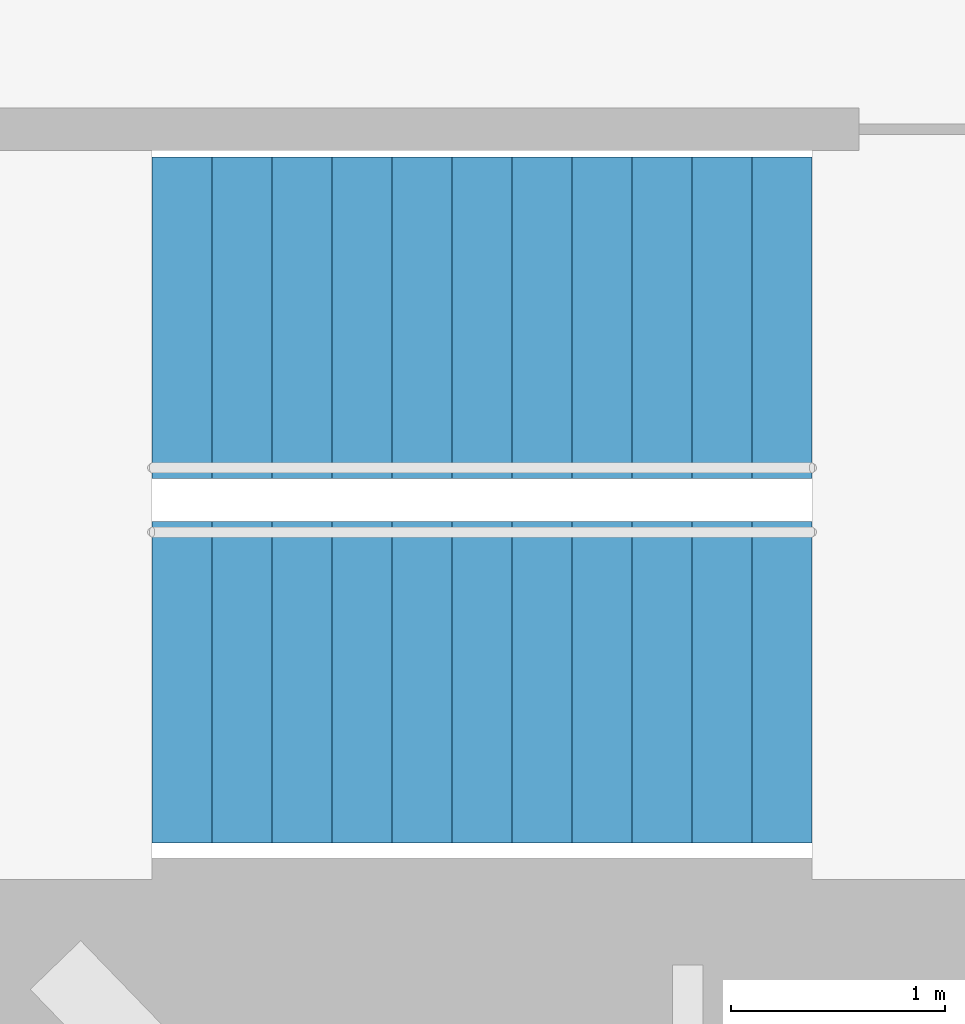
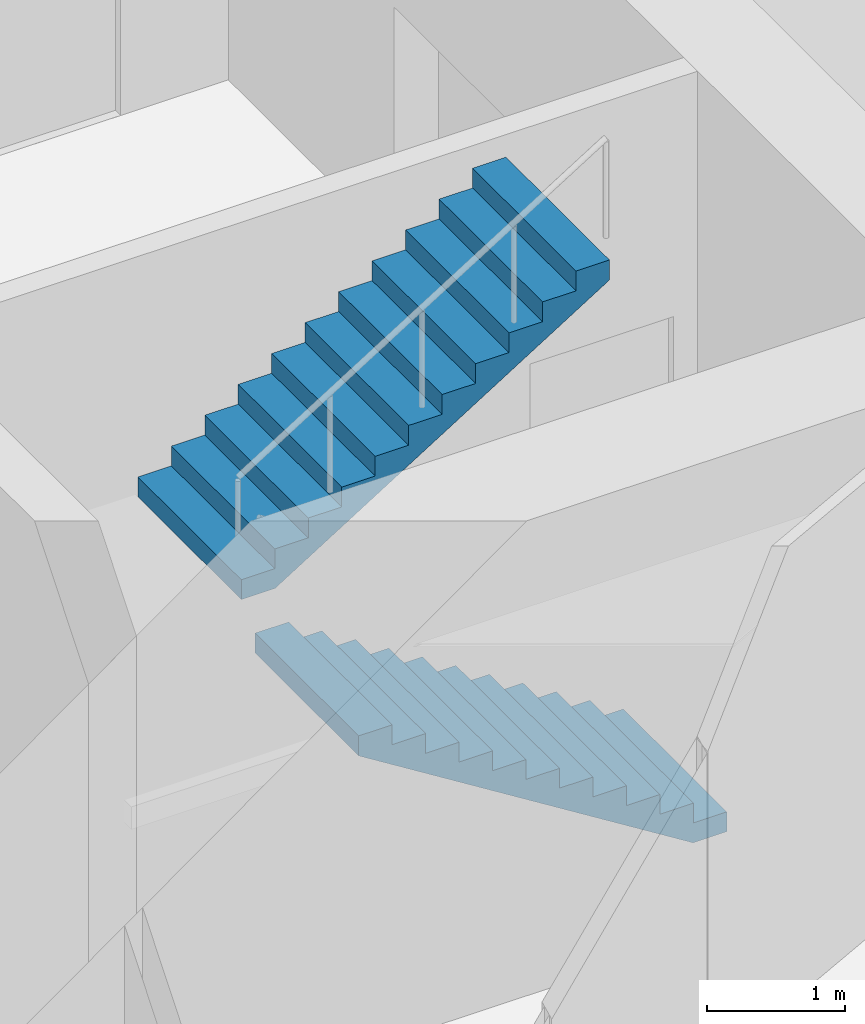
# One storey, part 16 of 17: 2 stair flights, 1 element without a shape of its own.
"""IFC4 building model written with IfcOpenShell, lengths in metres."""

from ifc_helpers import new_model, si_unit, direction, frame, origin, place, context, subcontext, project, spatial, triangles, material, type_object, element, aggregate, save


model = new_model("IFC4")

# Units and contexts
model_context = context("Model", 3, precision=1e-05, world=origin(), true_north=direction((0.0, 1.0)))
body_context = subcontext(model_context, "Body", "Model", "MODEL_VIEW")
ifc_project = project(units=[si_unit("LENGTHUNIT", "METRE"), si_unit("AREAUNIT", "SQUARE_METRE"), si_unit("VOLUMEUNIT", "CUBIC_METRE"), si_unit("PLANEANGLEUNIT", "RADIAN"), si_unit("MASSUNIT", "GRAM", prefix="KILO")], contexts=[model_context])

# Site, building, storey
site_placement = place(None, origin())
site = spatial("IfcSite", under=ifc_project, at=site_placement, CompositionType="ELEMENT")
building_placement = place(site_placement, origin())
building = spatial("IfcBuilding", under=site, at=building_placement, Name="Lantaw Convention Tower", CompositionType="ELEMENT")
storey_placement = place(building_placement, frame((0.0, 0.0, 203.199951171875)))
storey = spatial("IfcBuildingStorey", under=building, at=storey_placement, Name="L47", CompositionType="ELEMENT", Elevation=203.199951171875)

# Stair, stair flights
ifc_material = material(Name="Concrete C35/45", Category="concrete")
stair_type = type_object("IfcStairType", Name="Exit stair 1500 riser 175 in 2 flights", PredefinedType="HALF_TURN_STAIR", material=ifc_material)
stair_placement = place(storey_placement, origin())
stair = element("IfcStair", 1, at=stair_placement, inside=storey, type_object=stair_type, Name="Exit stair S2 L47", PredefinedType="HALF_TURN_STAIR")
stair_flight_type = type_object("IfcStairFlightType", Name="Stair flight 1500 riser 175", PredefinedType="STRAIGHT", material=ifc_material)
stair_flight_1_placement = place(storey_placement, frame((10.580078125, -5.97998046875, 0.0), z_axis=(0.0, 0.0, 1.0), x_axis=(-1.0, 0.0, 0.0)))
stair_flight_1 = element("IfcStairFlight", 2, at=stair_flight_1_placement, type_object=stair_flight_type, Name="S2 flight 1", NumberOfRisers=12, NumberOfTreads=11, PredefinedType="STRAIGHT", RiserHeight=0.175, TreadLength=0.28, context=body_context, shape_type="Tessellation", body=[
    triangles([(0.0, 0.75, 0.0), (0.0, 0.75, 0.175), (0.28, 0.75, 0.0), (0.28, 0.75, 0.175), (0.28, 0.75, 0.35), (0.28283517651771284, 0.75, 0.0), (0.28283517651771284, 0.75, 0.35), (0.56, 0.75, 0.17322801467642948), (0.56, 0.75, 0.35), (0.56, 0.75, 0.5249999999999999), (0.8400000000000001, 0.75, 0.34822801467642944), (0.8400000000000001, 0.75, 0.5249999999999999), (0.8400000000000001, 0.75, 0.7), (1.12, 0.75, 0.5232280146764294), (1.12, 0.75, 0.7), (1.12, 0.75, 0.875), (1.4000000000000001, 0.75, 0.6982280146764295), (1.4000000000000001, 0.75, 0.875), (1.4000000000000001, 0.75, 1.0499999999999998), (1.6800000000000002, 0.75, 0.8732280146764294), (1.6800000000000002, 0.75, 1.0499999999999998), (1.6800000000000002, 0.75, 1.2249999999999999), (1.9600000000000002, 0.75, 1.0482280146764293), (1.9600000000000002, 0.75, 1.2249999999999999), (1.9600000000000002, 0.75, 1.4), (2.24, 0.75, 1.2232280146764294), (2.24, 0.75, 1.4), (2.24, 0.75, 1.575), (2.5200000000000005, 0.75, 1.3982280146764294), (2.5200000000000005, 0.75, 1.575), (2.5200000000000005, 0.75, 1.75), (2.8000000000000003, 0.75, 1.5732280146764293), (2.8000000000000003, 0.75, 1.75), (2.8000000000000003, 0.75, 1.9249999999999998), (3.08, 0.75, 1.7482280146764293), (3.08, 0.75, 1.9249999999999998), (0.0, -0.75, 0.0), (0.0, -0.75, 0.175), (0.28, -0.75, 0.0), (0.28, -0.75, 0.175), (0.28, -0.75, 0.35), (0.28283517651771284, -0.75, 0.0), (0.28283517651771284, -0.75, 0.35), (0.56, -0.75, 0.17322801467642948), (0.56, -0.75, 0.35), (0.56, -0.75, 0.5249999999999999), (0.8400000000000001, -0.75, 0.34822801467642944), (0.8400000000000001, -0.75, 0.5249999999999999), (0.8400000000000001, -0.75, 0.7), (1.12, -0.75, 0.5232280146764294), (1.12, -0.75, 0.7), (1.12, -0.75, 0.875), (1.4000000000000001, -0.75, 0.6982280146764295), (1.4000000000000001, -0.75, 0.875), (1.4000000000000001, -0.75, 1.0499999999999998), (1.6800000000000002, -0.75, 0.8732280146764294), (1.6800000000000002, -0.75, 1.0499999999999998), (1.6800000000000002, -0.75, 1.2249999999999999), (1.9600000000000002, -0.75, 1.0482280146764293), (1.9600000000000002, -0.75, 1.2249999999999999), (1.9600000000000002, -0.75, 1.4), (2.24, -0.75, 1.2232280146764294), (2.24, -0.75, 1.4), (2.24, -0.75, 1.575), (2.5200000000000005, -0.75, 1.3982280146764294), (2.5200000000000005, -0.75, 1.575), (2.5200000000000005, -0.75, 1.75), (2.8000000000000003, -0.75, 1.5732280146764293), (2.8000000000000003, -0.75, 1.75), (2.8000000000000003, -0.75, 1.9249999999999998), (3.08, -0.75, 1.7482280146764293), (3.08, -0.75, 1.9249999999999998), (0.0, 0.15000000000000002, 0.175), (0.0, 0.15000000000000002, 0.0), (0.0, 0.0, 0.175), (0.0, 0.0, 0.0), (0.0, -0.15000000000000002, 0.175), (0.0, -0.15000000000000002, 0.0), (0.28, 0.15000000000000002, 0.35), (0.28, 0.15000000000000002, 0.175), (0.28, 0.0, 0.35), (0.28, 0.0, 0.175), (0.28, -0.15000000000000002, 0.35), (0.28, -0.15000000000000002, 0.175), (0.56, 0.15000000000000002, 0.5249999999999999), (0.56, 0.15000000000000002, 0.35), (0.56, 0.0, 0.5249999999999999), (0.56, 0.0, 0.35), (0.56, -0.15000000000000002, 0.5249999999999999), (0.56, -0.15000000000000002, 0.35), (0.8400000000000001, 0.15000000000000002, 0.7), (0.8400000000000001, 0.15000000000000002, 0.5249999999999999), (0.8400000000000001, 0.0, 0.7), (0.8400000000000001, 0.0, 0.5249999999999999), (0.8400000000000001, -0.15000000000000002, 0.7), (0.8400000000000001, -0.15000000000000002, 0.5249999999999999), (1.12, 0.15000000000000002, 0.875), (1.12, 0.15000000000000002, 0.7), (1.12, 0.0, 0.875), (1.12, 0.0, 0.7), (1.12, -0.15000000000000002, 0.875), (1.12, -0.15000000000000002, 0.7), (1.4000000000000001, 0.15000000000000002, 1.0499999999999998), (1.4000000000000001, 0.15000000000000002, 0.875), (1.4000000000000001, 0.0, 1.0499999999999998), (1.4000000000000001, 0.0, 0.875), (1.4000000000000001, -0.15000000000000002, 1.0499999999999998), (1.4000000000000001, -0.15000000000000002, 0.875), (1.6800000000000002, 0.15000000000000002, 1.2249999999999999), (1.6800000000000002, 0.15000000000000002, 1.0499999999999998), (1.6800000000000002, 0.0, 1.2249999999999999), (1.6800000000000002, 0.0, 1.0499999999999998), (1.6800000000000002, -0.15000000000000002, 1.2249999999999999), (1.6800000000000002, -0.15000000000000002, 1.0499999999999998), (1.9600000000000002, 0.15000000000000002, 1.4), (1.9600000000000002, 0.15000000000000002, 1.2249999999999999), (1.9600000000000002, 0.0, 1.4), (1.9600000000000002, 0.0, 1.2249999999999999), (1.9600000000000002, -0.15000000000000002, 1.4), (1.9600000000000002, -0.15000000000000002, 1.2249999999999999), (2.24, 0.15000000000000002, 1.575), (2.24, 0.15000000000000002, 1.4), (2.24, 0.0, 1.575), (2.24, 0.0, 1.4), (2.24, -0.15000000000000002, 1.575), (2.24, -0.15000000000000002, 1.4), (2.5200000000000005, 0.15000000000000002, 1.75), (2.5200000000000005, 0.15000000000000002, 1.575), (2.5200000000000005, 0.0, 1.75), (2.5200000000000005, 0.0, 1.575), (2.5200000000000005, -0.15000000000000002, 1.75), (2.5200000000000005, -0.15000000000000002, 1.575), (2.8000000000000003, 0.15000000000000002, 1.9249999999999998), (2.8000000000000003, 0.15000000000000002, 1.75), (2.8000000000000003, 0.0, 1.9249999999999998), (2.8000000000000003, 0.0, 1.75), (2.8000000000000003, -0.15000000000000002, 1.9249999999999998), (2.8000000000000003, -0.15000000000000002, 1.75), (0.28283517651771284, 0.15000000000000002, 0.35), (0.28283517651771284, 0.0, 0.35), (0.28283517651771284, -0.15000000000000002, 0.35), (3.08, 0.15000000000000002, 1.9249999999999998), (3.08, 0.0, 1.9249999999999998), (3.08, -0.15000000000000002, 1.9249999999999998), (3.08, 0.15000000000000002, 1.7482280146764293), (3.08, 0.0, 1.7482280146764293), (3.08, -0.15000000000000002, 1.7482280146764293), (2.8000000000000003, 0.15000000000000002, 1.5732280146764293), (2.8000000000000003, 0.0, 1.5732280146764293), (2.8000000000000003, -0.15000000000000002, 1.5732280146764293), (2.5200000000000005, 0.15000000000000002, 1.3982280146764294), (2.5200000000000005, 0.0, 1.3982280146764294), (2.5200000000000005, -0.15000000000000002, 1.3982280146764294), (2.24, 0.15000000000000002, 1.2232280146764294), (2.24, 0.0, 1.2232280146764294), (2.24, -0.15000000000000002, 1.2232280146764294), (1.9600000000000002, 0.15000000000000002, 1.0482280146764293), (1.9600000000000002, 0.0, 1.0482280146764293), (1.9600000000000002, -0.15000000000000002, 1.0482280146764293), (1.6800000000000002, 0.15000000000000002, 0.8732280146764294), (1.6800000000000002, 0.0, 0.8732280146764294), (1.6800000000000002, -0.15000000000000002, 0.8732280146764294), (1.4000000000000001, 0.15000000000000002, 0.6982280146764295), (1.4000000000000001, 0.0, 0.6982280146764295), (1.4000000000000001, -0.15000000000000002, 0.6982280146764295), (1.12, 0.15000000000000002, 0.5232280146764294), (1.12, 0.0, 0.5232280146764294), (1.12, -0.15000000000000002, 0.5232280146764294), (0.8400000000000001, 0.15000000000000002, 0.34822801467642944), (0.8400000000000001, 0.0, 0.34822801467642944), (0.8400000000000001, -0.15000000000000002, 0.34822801467642944), (0.56, 0.15000000000000002, 0.17322801467642948), (0.56, 0.0, 0.17322801467642948), (0.56, -0.15000000000000002, 0.17322801467642948), (0.28283517651771284, 0.15000000000000002, 0.0), (0.28283517651771284, 0.0, 0.0), (0.28283517651771284, -0.15000000000000002, 0.0), (0.28, 0.15000000000000002, 0.0), (0.28, 0.0, 0.0), (0.28, -0.15000000000000002, 0.0)], [[1, 4, 3], [1, 2, 4], [3, 4, 6], [4, 7, 6], [4, 5, 7], [6, 9, 8], [6, 7, 9], [8, 9, 11], [9, 12, 11], [9, 10, 12], [11, 12, 14], [12, 15, 14], [12, 13, 15], [14, 15, 17], [15, 18, 17], [15, 16, 18], [17, 18, 20], [18, 21, 20], [18, 19, 21], [20, 21, 23], [21, 24, 23], [21, 22, 24], [23, 24, 26], [24, 27, 26], [24, 25, 27], [26, 27, 29], [27, 30, 29], [27, 28, 30], [29, 30, 32], [30, 33, 32], [30, 31, 33], [32, 33, 35], [33, 36, 35], [33, 34, 36], [37, 39, 40], [37, 40, 38], [39, 42, 40], [40, 42, 43], [40, 43, 41], [42, 44, 45], [42, 45, 43], [44, 47, 45], [45, 47, 48], [45, 48, 46], [47, 50, 48], [48, 50, 51], [48, 51, 49], [50, 53, 51], [51, 53, 54], [51, 54, 52], [53, 56, 54], [54, 56, 57], [54, 57, 55], [56, 59, 57], [57, 59, 60], [57, 60, 58], [59, 62, 60], [60, 62, 63], [60, 63, 61], [62, 65, 63], [63, 65, 66], [63, 66, 64], [65, 68, 66], [66, 68, 69], [66, 69, 67], [68, 71, 69], [69, 71, 72], [69, 72, 70], [1, 73, 2], [1, 74, 73], [74, 75, 73], [74, 76, 75], [76, 77, 75], [76, 78, 77], [78, 38, 77], [78, 37, 38], [4, 79, 5], [4, 80, 79], [80, 81, 79], [80, 82, 81], [82, 83, 81], [82, 84, 83], [84, 41, 83], [84, 40, 41], [9, 85, 10], [9, 86, 85], [86, 87, 85], [86, 88, 87], [88, 89, 87], [88, 90, 89], [90, 46, 89], [90, 45, 46], [12, 91, 13], [12, 92, 91], [92, 93, 91], [92, 94, 93], [94, 95, 93], [94, 96, 95], [96, 49, 95], [96, 48, 49], [15, 97, 16], [15, 98, 97], [98, 99, 97], [98, 100, 99], [100, 101, 99], [100, 102, 101], [102, 52, 101], [102, 51, 52], [18, 103, 19], [18, 104, 103], [104, 105, 103], [104, 106, 105], [106, 107, 105], [106, 108, 107], [108, 55, 107], [108, 54, 55], [21, 109, 22], [21, 110, 109], [110, 111, 109], [110, 112, 111], [112, 113, 111], [112, 114, 113], [114, 58, 113], [114, 57, 58], [24, 115, 25], [24, 116, 115], [116, 117, 115], [116, 118, 117], [118, 119, 117], [118, 120, 119], [120, 61, 119], [120, 60, 61], [27, 121, 28], [27, 122, 121], [122, 123, 121], [122, 124, 123], [124, 125, 123], [124, 126, 125], [126, 64, 125], [126, 63, 64], [30, 127, 31], [30, 128, 127], [128, 129, 127], [128, 130, 129], [130, 131, 129], [130, 132, 131], [132, 67, 131], [132, 66, 67], [33, 133, 34], [33, 134, 133], [134, 135, 133], [134, 136, 135], [136, 137, 135], [136, 138, 137], [138, 70, 137], [138, 69, 70], [2, 80, 4], [2, 73, 80], [73, 82, 80], [73, 75, 82], [75, 84, 82], [75, 77, 84], [77, 40, 84], [77, 38, 40], [5, 139, 7], [5, 79, 139], [79, 140, 139], [79, 81, 140], [81, 141, 140], [81, 83, 141], [83, 43, 141], [83, 41, 43], [7, 86, 9], [7, 139, 86], [139, 88, 86], [139, 140, 88], [140, 90, 88], [140, 141, 90], [141, 45, 90], [141, 43, 45], [10, 92, 12], [10, 85, 92], [85, 94, 92], [85, 87, 94], [87, 96, 94], [87, 89, 96], [89, 48, 96], [89, 46, 48], [13, 98, 15], [13, 91, 98], [91, 100, 98], [91, 93, 100], [93, 102, 100], [93, 95, 102], [95, 51, 102], [95, 49, 51], [16, 104, 18], [16, 97, 104], [97, 106, 104], [97, 99, 106], [99, 108, 106], [99, 101, 108], [101, 54, 108], [101, 52, 54], [19, 110, 21], [19, 103, 110], [103, 112, 110], [103, 105, 112], [105, 114, 112], [105, 107, 114], [107, 57, 114], [107, 55, 57], [22, 116, 24], [22, 109, 116], [109, 118, 116], [109, 111, 118], [111, 120, 118], [111, 113, 120], [113, 60, 120], [113, 58, 60], [25, 122, 27], [25, 115, 122], [115, 124, 122], [115, 117, 124], [117, 126, 124], [117, 119, 126], [119, 63, 126], [119, 61, 63], [28, 128, 30], [28, 121, 128], [121, 130, 128], [121, 123, 130], [123, 132, 130], [123, 125, 132], [125, 66, 132], [125, 64, 66], [31, 134, 33], [31, 127, 134], [127, 136, 134], [127, 129, 136], [129, 138, 136], [129, 131, 138], [131, 69, 138], [131, 67, 69], [34, 142, 36], [34, 133, 142], [133, 143, 142], [133, 135, 143], [135, 144, 143], [135, 137, 144], [137, 72, 144], [137, 70, 72], [36, 145, 35], [36, 142, 145], [142, 146, 145], [142, 143, 146], [143, 147, 146], [143, 144, 147], [144, 71, 147], [144, 72, 71], [35, 148, 32], [35, 145, 148], [145, 149, 148], [145, 146, 149], [146, 150, 149], [146, 147, 150], [147, 68, 150], [147, 71, 68], [32, 151, 29], [32, 148, 151], [148, 152, 151], [148, 149, 152], [149, 153, 152], [149, 150, 153], [150, 65, 153], [150, 68, 65], [29, 154, 26], [29, 151, 154], [151, 155, 154], [151, 152, 155], [152, 156, 155], [152, 153, 156], [153, 62, 156], [153, 65, 62], [26, 157, 23], [26, 154, 157], [154, 158, 157], [154, 155, 158], [155, 159, 158], [155, 156, 159], [156, 59, 159], [156, 62, 59], [23, 160, 20], [23, 157, 160], [157, 161, 160], [157, 158, 161], [158, 162, 161], [158, 159, 162], [159, 56, 162], [159, 59, 56], [20, 163, 17], [20, 160, 163], [160, 164, 163], [160, 161, 164], [161, 165, 164], [161, 162, 165], [162, 53, 165], [162, 56, 53], [17, 166, 14], [17, 163, 166], [163, 167, 166], [163, 164, 167], [164, 168, 167], [164, 165, 168], [165, 50, 168], [165, 53, 50], [14, 169, 11], [14, 166, 169], [166, 170, 169], [166, 167, 170], [167, 171, 170], [167, 168, 171], [168, 47, 171], [168, 50, 47], [11, 172, 8], [11, 169, 172], [169, 173, 172], [169, 170, 173], [170, 174, 173], [170, 171, 174], [171, 44, 174], [171, 47, 44], [8, 175, 6], [8, 172, 175], [172, 176, 175], [172, 173, 176], [173, 177, 176], [173, 174, 177], [174, 42, 177], [174, 44, 42], [6, 178, 3], [6, 175, 178], [175, 179, 178], [175, 176, 179], [176, 180, 179], [176, 177, 180], [177, 39, 180], [177, 42, 39], [3, 74, 1], [3, 178, 74], [178, 76, 74], [178, 179, 76], [179, 78, 76], [179, 180, 78], [180, 37, 78], [180, 39, 37]], closed=True),
])
stair_flight_2_placement = place(storey_placement, frame((7.5, -4.280029296875, 2.10009765625), z_axis=(0.0, 0.0, 1.0), x_axis=(1.0, 0.0, 0.0)))
stair_flight_2 = element("IfcStairFlight", 3, at=stair_flight_2_placement, type_object=stair_flight_type, Name="S2 flight 2", NumberOfRisers=12, NumberOfTreads=11, PredefinedType="STRAIGHT", RiserHeight=0.175, TreadLength=0.28, context=body_context, shape_type="Tessellation", body=[
    triangles([(0.0, 0.75, 0.0), (0.0, 0.75, 0.175), (0.28, 0.75, 0.0), (0.28, 0.75, 0.175), (0.28, 0.75, 0.35), (0.28283517651771284, 0.75, 0.0), (0.28283517651771284, 0.75, 0.35), (0.56, 0.75, 0.17322801467642948), (0.56, 0.75, 0.35), (0.56, 0.75, 0.5249999999999999), (0.8400000000000001, 0.75, 0.34822801467642944), (0.8400000000000001, 0.75, 0.5249999999999999), (0.8400000000000001, 0.75, 0.7), (1.12, 0.75, 0.5232280146764294), (1.12, 0.75, 0.7), (1.12, 0.75, 0.875), (1.4000000000000001, 0.75, 0.6982280146764295), (1.4000000000000001, 0.75, 0.875), (1.4000000000000001, 0.75, 1.0499999999999998), (1.6800000000000002, 0.75, 0.8732280146764294), (1.6800000000000002, 0.75, 1.0499999999999998), (1.6800000000000002, 0.75, 1.2249999999999999), (1.9600000000000002, 0.75, 1.0482280146764293), (1.9600000000000002, 0.75, 1.2249999999999999), (1.9600000000000002, 0.75, 1.4), (2.24, 0.75, 1.2232280146764294), (2.24, 0.75, 1.4), (2.24, 0.75, 1.575), (2.5200000000000005, 0.75, 1.3982280146764294), (2.5200000000000005, 0.75, 1.575), (2.5200000000000005, 0.75, 1.75), (2.8000000000000003, 0.75, 1.5732280146764293), (2.8000000000000003, 0.75, 1.75), (2.8000000000000003, 0.75, 1.9249999999999998), (3.08, 0.75, 1.7482280146764293), (3.08, 0.75, 1.9249999999999998), (0.0, -0.75, 0.0), (0.0, -0.75, 0.175), (0.28, -0.75, 0.0), (0.28, -0.75, 0.175), (0.28, -0.75, 0.35), (0.28283517651771284, -0.75, 0.0), (0.28283517651771284, -0.75, 0.35), (0.56, -0.75, 0.17322801467642948), (0.56, -0.75, 0.35), (0.56, -0.75, 0.5249999999999999), (0.8400000000000001, -0.75, 0.34822801467642944), (0.8400000000000001, -0.75, 0.5249999999999999), (0.8400000000000001, -0.75, 0.7), (1.12, -0.75, 0.5232280146764294), (1.12, -0.75, 0.7), (1.12, -0.75, 0.875), (1.4000000000000001, -0.75, 0.6982280146764295), (1.4000000000000001, -0.75, 0.875), (1.4000000000000001, -0.75, 1.0499999999999998), (1.6800000000000002, -0.75, 0.8732280146764294), (1.6800000000000002, -0.75, 1.0499999999999998), (1.6800000000000002, -0.75, 1.2249999999999999), (1.9600000000000002, -0.75, 1.0482280146764293), (1.9600000000000002, -0.75, 1.2249999999999999), (1.9600000000000002, -0.75, 1.4), (2.24, -0.75, 1.2232280146764294), (2.24, -0.75, 1.4), (2.24, -0.75, 1.575), (2.5200000000000005, -0.75, 1.3982280146764294), (2.5200000000000005, -0.75, 1.575), (2.5200000000000005, -0.75, 1.75), (2.8000000000000003, -0.75, 1.5732280146764293), (2.8000000000000003, -0.75, 1.75), (2.8000000000000003, -0.75, 1.9249999999999998), (3.08, -0.75, 1.7482280146764293), (3.08, -0.75, 1.9249999999999998), (0.0, 0.15000000000000002, 0.175), (0.0, 0.15000000000000002, 0.0), (0.0, 0.0, 0.175), (0.0, 0.0, 0.0), (0.0, -0.15000000000000002, 0.175), (0.0, -0.15000000000000002, 0.0), (0.28, 0.15000000000000002, 0.35), (0.28, 0.15000000000000002, 0.175), (0.28, 0.0, 0.35), (0.28, 0.0, 0.175), (0.28, -0.15000000000000002, 0.35), (0.28, -0.15000000000000002, 0.175), (0.56, 0.15000000000000002, 0.5249999999999999), (0.56, 0.15000000000000002, 0.35), (0.56, 0.0, 0.5249999999999999), (0.56, 0.0, 0.35), (0.56, -0.15000000000000002, 0.5249999999999999), (0.56, -0.15000000000000002, 0.35), (0.8400000000000001, 0.15000000000000002, 0.7), (0.8400000000000001, 0.15000000000000002, 0.5249999999999999), (0.8400000000000001, 0.0, 0.7), (0.8400000000000001, 0.0, 0.5249999999999999), (0.8400000000000001, -0.15000000000000002, 0.7), (0.8400000000000001, -0.15000000000000002, 0.5249999999999999), (1.12, 0.15000000000000002, 0.875), (1.12, 0.15000000000000002, 0.7), (1.12, 0.0, 0.875), (1.12, 0.0, 0.7), (1.12, -0.15000000000000002, 0.875), (1.12, -0.15000000000000002, 0.7), (1.4000000000000001, 0.15000000000000002, 1.0499999999999998), (1.4000000000000001, 0.15000000000000002, 0.875), (1.4000000000000001, 0.0, 1.0499999999999998), (1.4000000000000001, 0.0, 0.875), (1.4000000000000001, -0.15000000000000002, 1.0499999999999998), (1.4000000000000001, -0.15000000000000002, 0.875), (1.6800000000000002, 0.15000000000000002, 1.2249999999999999), (1.6800000000000002, 0.15000000000000002, 1.0499999999999998), (1.6800000000000002, 0.0, 1.2249999999999999), (1.6800000000000002, 0.0, 1.0499999999999998), (1.6800000000000002, -0.15000000000000002, 1.2249999999999999), (1.6800000000000002, -0.15000000000000002, 1.0499999999999998), (1.9600000000000002, 0.15000000000000002, 1.4), (1.9600000000000002, 0.15000000000000002, 1.2249999999999999), (1.9600000000000002, 0.0, 1.4), (1.9600000000000002, 0.0, 1.2249999999999999), (1.9600000000000002, -0.15000000000000002, 1.4), (1.9600000000000002, -0.15000000000000002, 1.2249999999999999), (2.24, 0.15000000000000002, 1.575), (2.24, 0.15000000000000002, 1.4), (2.24, 0.0, 1.575), (2.24, 0.0, 1.4), (2.24, -0.15000000000000002, 1.575), (2.24, -0.15000000000000002, 1.4), (2.5200000000000005, 0.15000000000000002, 1.75), (2.5200000000000005, 0.15000000000000002, 1.575), (2.5200000000000005, 0.0, 1.75), (2.5200000000000005, 0.0, 1.575), (2.5200000000000005, -0.15000000000000002, 1.75), (2.5200000000000005, -0.15000000000000002, 1.575), (2.8000000000000003, 0.15000000000000002, 1.9249999999999998), (2.8000000000000003, 0.15000000000000002, 1.75), (2.8000000000000003, 0.0, 1.9249999999999998), (2.8000000000000003, 0.0, 1.75), (2.8000000000000003, -0.15000000000000002, 1.9249999999999998), (2.8000000000000003, -0.15000000000000002, 1.75), (0.28283517651771284, 0.15000000000000002, 0.35), (0.28283517651771284, 0.0, 0.35), (0.28283517651771284, -0.15000000000000002, 0.35), (3.08, 0.15000000000000002, 1.9249999999999998), (3.08, 0.0, 1.9249999999999998), (3.08, -0.15000000000000002, 1.9249999999999998), (3.08, 0.15000000000000002, 1.7482280146764293), (3.08, 0.0, 1.7482280146764293), (3.08, -0.15000000000000002, 1.7482280146764293), (2.8000000000000003, 0.15000000000000002, 1.5732280146764293), (2.8000000000000003, 0.0, 1.5732280146764293), (2.8000000000000003, -0.15000000000000002, 1.5732280146764293), (2.5200000000000005, 0.15000000000000002, 1.3982280146764294), (2.5200000000000005, 0.0, 1.3982280146764294), (2.5200000000000005, -0.15000000000000002, 1.3982280146764294), (2.24, 0.15000000000000002, 1.2232280146764294), (2.24, 0.0, 1.2232280146764294), (2.24, -0.15000000000000002, 1.2232280146764294), (1.9600000000000002, 0.15000000000000002, 1.0482280146764293), (1.9600000000000002, 0.0, 1.0482280146764293), (1.9600000000000002, -0.15000000000000002, 1.0482280146764293), (1.6800000000000002, 0.15000000000000002, 0.8732280146764294), (1.6800000000000002, 0.0, 0.8732280146764294), (1.6800000000000002, -0.15000000000000002, 0.8732280146764294), (1.4000000000000001, 0.15000000000000002, 0.6982280146764295), (1.4000000000000001, 0.0, 0.6982280146764295), (1.4000000000000001, -0.15000000000000002, 0.6982280146764295), (1.12, 0.15000000000000002, 0.5232280146764294), (1.12, 0.0, 0.5232280146764294), (1.12, -0.15000000000000002, 0.5232280146764294), (0.8400000000000001, 0.15000000000000002, 0.34822801467642944), (0.8400000000000001, 0.0, 0.34822801467642944), (0.8400000000000001, -0.15000000000000002, 0.34822801467642944), (0.56, 0.15000000000000002, 0.17322801467642948), (0.56, 0.0, 0.17322801467642948), (0.56, -0.15000000000000002, 0.17322801467642948), (0.28283517651771284, 0.15000000000000002, 0.0), (0.28283517651771284, 0.0, 0.0), (0.28283517651771284, -0.15000000000000002, 0.0), (0.28, 0.15000000000000002, 0.0), (0.28, 0.0, 0.0), (0.28, -0.15000000000000002, 0.0)], [[1, 4, 3], [1, 2, 4], [3, 4, 6], [4, 7, 6], [4, 5, 7], [6, 9, 8], [6, 7, 9], [8, 9, 11], [9, 12, 11], [9, 10, 12], [11, 12, 14], [12, 15, 14], [12, 13, 15], [14, 15, 17], [15, 18, 17], [15, 16, 18], [17, 18, 20], [18, 21, 20], [18, 19, 21], [20, 21, 23], [21, 24, 23], [21, 22, 24], [23, 24, 26], [24, 27, 26], [24, 25, 27], [26, 27, 29], [27, 30, 29], [27, 28, 30], [29, 30, 32], [30, 33, 32], [30, 31, 33], [32, 33, 35], [33, 36, 35], [33, 34, 36], [37, 39, 40], [37, 40, 38], [39, 42, 40], [40, 42, 43], [40, 43, 41], [42, 44, 45], [42, 45, 43], [44, 47, 45], [45, 47, 48], [45, 48, 46], [47, 50, 48], [48, 50, 51], [48, 51, 49], [50, 53, 51], [51, 53, 54], [51, 54, 52], [53, 56, 54], [54, 56, 57], [54, 57, 55], [56, 59, 57], [57, 59, 60], [57, 60, 58], [59, 62, 60], [60, 62, 63], [60, 63, 61], [62, 65, 63], [63, 65, 66], [63, 66, 64], [65, 68, 66], [66, 68, 69], [66, 69, 67], [68, 71, 69], [69, 71, 72], [69, 72, 70], [1, 73, 2], [1, 74, 73], [74, 75, 73], [74, 76, 75], [76, 77, 75], [76, 78, 77], [78, 38, 77], [78, 37, 38], [4, 79, 5], [4, 80, 79], [80, 81, 79], [80, 82, 81], [82, 83, 81], [82, 84, 83], [84, 41, 83], [84, 40, 41], [9, 85, 10], [9, 86, 85], [86, 87, 85], [86, 88, 87], [88, 89, 87], [88, 90, 89], [90, 46, 89], [90, 45, 46], [12, 91, 13], [12, 92, 91], [92, 93, 91], [92, 94, 93], [94, 95, 93], [94, 96, 95], [96, 49, 95], [96, 48, 49], [15, 97, 16], [15, 98, 97], [98, 99, 97], [98, 100, 99], [100, 101, 99], [100, 102, 101], [102, 52, 101], [102, 51, 52], [18, 103, 19], [18, 104, 103], [104, 105, 103], [104, 106, 105], [106, 107, 105], [106, 108, 107], [108, 55, 107], [108, 54, 55], [21, 109, 22], [21, 110, 109], [110, 111, 109], [110, 112, 111], [112, 113, 111], [112, 114, 113], [114, 58, 113], [114, 57, 58], [24, 115, 25], [24, 116, 115], [116, 117, 115], [116, 118, 117], [118, 119, 117], [118, 120, 119], [120, 61, 119], [120, 60, 61], [27, 121, 28], [27, 122, 121], [122, 123, 121], [122, 124, 123], [124, 125, 123], [124, 126, 125], [126, 64, 125], [126, 63, 64], [30, 127, 31], [30, 128, 127], [128, 129, 127], [128, 130, 129], [130, 131, 129], [130, 132, 131], [132, 67, 131], [132, 66, 67], [33, 133, 34], [33, 134, 133], [134, 135, 133], [134, 136, 135], [136, 137, 135], [136, 138, 137], [138, 70, 137], [138, 69, 70], [2, 80, 4], [2, 73, 80], [73, 82, 80], [73, 75, 82], [75, 84, 82], [75, 77, 84], [77, 40, 84], [77, 38, 40], [5, 139, 7], [5, 79, 139], [79, 140, 139], [79, 81, 140], [81, 141, 140], [81, 83, 141], [83, 43, 141], [83, 41, 43], [7, 86, 9], [7, 139, 86], [139, 88, 86], [139, 140, 88], [140, 90, 88], [140, 141, 90], [141, 45, 90], [141, 43, 45], [10, 92, 12], [10, 85, 92], [85, 94, 92], [85, 87, 94], [87, 96, 94], [87, 89, 96], [89, 48, 96], [89, 46, 48], [13, 98, 15], [13, 91, 98], [91, 100, 98], [91, 93, 100], [93, 102, 100], [93, 95, 102], [95, 51, 102], [95, 49, 51], [16, 104, 18], [16, 97, 104], [97, 106, 104], [97, 99, 106], [99, 108, 106], [99, 101, 108], [101, 54, 108], [101, 52, 54], [19, 110, 21], [19, 103, 110], [103, 112, 110], [103, 105, 112], [105, 114, 112], [105, 107, 114], [107, 57, 114], [107, 55, 57], [22, 116, 24], [22, 109, 116], [109, 118, 116], [109, 111, 118], [111, 120, 118], [111, 113, 120], [113, 60, 120], [113, 58, 60], [25, 122, 27], [25, 115, 122], [115, 124, 122], [115, 117, 124], [117, 126, 124], [117, 119, 126], [119, 63, 126], [119, 61, 63], [28, 128, 30], [28, 121, 128], [121, 130, 128], [121, 123, 130], [123, 132, 130], [123, 125, 132], [125, 66, 132], [125, 64, 66], [31, 134, 33], [31, 127, 134], [127, 136, 134], [127, 129, 136], [129, 138, 136], [129, 131, 138], [131, 69, 138], [131, 67, 69], [34, 142, 36], [34, 133, 142], [133, 143, 142], [133, 135, 143], [135, 144, 143], [135, 137, 144], [137, 72, 144], [137, 70, 72], [36, 145, 35], [36, 142, 145], [142, 146, 145], [142, 143, 146], [143, 147, 146], [143, 144, 147], [144, 71, 147], [144, 72, 71], [35, 148, 32], [35, 145, 148], [145, 149, 148], [145, 146, 149], [146, 150, 149], [146, 147, 150], [147, 68, 150], [147, 71, 68], [32, 151, 29], [32, 148, 151], [148, 152, 151], [148, 149, 152], [149, 153, 152], [149, 150, 153], [150, 65, 153], [150, 68, 65], [29, 154, 26], [29, 151, 154], [151, 155, 154], [151, 152, 155], [152, 156, 155], [152, 153, 156], [153, 62, 156], [153, 65, 62], [26, 157, 23], [26, 154, 157], [154, 158, 157], [154, 155, 158], [155, 159, 158], [155, 156, 159], [156, 59, 159], [156, 62, 59], [23, 160, 20], [23, 157, 160], [157, 161, 160], [157, 158, 161], [158, 162, 161], [158, 159, 162], [159, 56, 162], [159, 59, 56], [20, 163, 17], [20, 160, 163], [160, 164, 163], [160, 161, 164], [161, 165, 164], [161, 162, 165], [162, 53, 165], [162, 56, 53], [17, 166, 14], [17, 163, 166], [163, 167, 166], [163, 164, 167], [164, 168, 167], [164, 165, 168], [165, 50, 168], [165, 53, 50], [14, 169, 11], [14, 166, 169], [166, 170, 169], [166, 167, 170], [167, 171, 170], [167, 168, 171], [168, 47, 171], [168, 50, 47], [11, 172, 8], [11, 169, 172], [169, 173, 172], [169, 170, 173], [170, 174, 173], [170, 171, 174], [171, 44, 174], [171, 47, 44], [8, 175, 6], [8, 172, 175], [172, 176, 175], [172, 173, 176], [173, 177, 176], [173, 174, 177], [174, 42, 177], [174, 44, 42], [6, 178, 3], [6, 175, 178], [175, 179, 178], [175, 176, 179], [176, 180, 179], [176, 177, 180], [177, 39, 180], [177, 42, 39], [3, 74, 1], [3, 178, 74], [178, 76, 74], [178, 179, 76], [179, 78, 76], [179, 180, 78], [180, 37, 78], [180, 39, 37]], closed=True),
])
aggregate(stair, [stair_flight_1, stair_flight_2])

save(model, "model.ifc")
